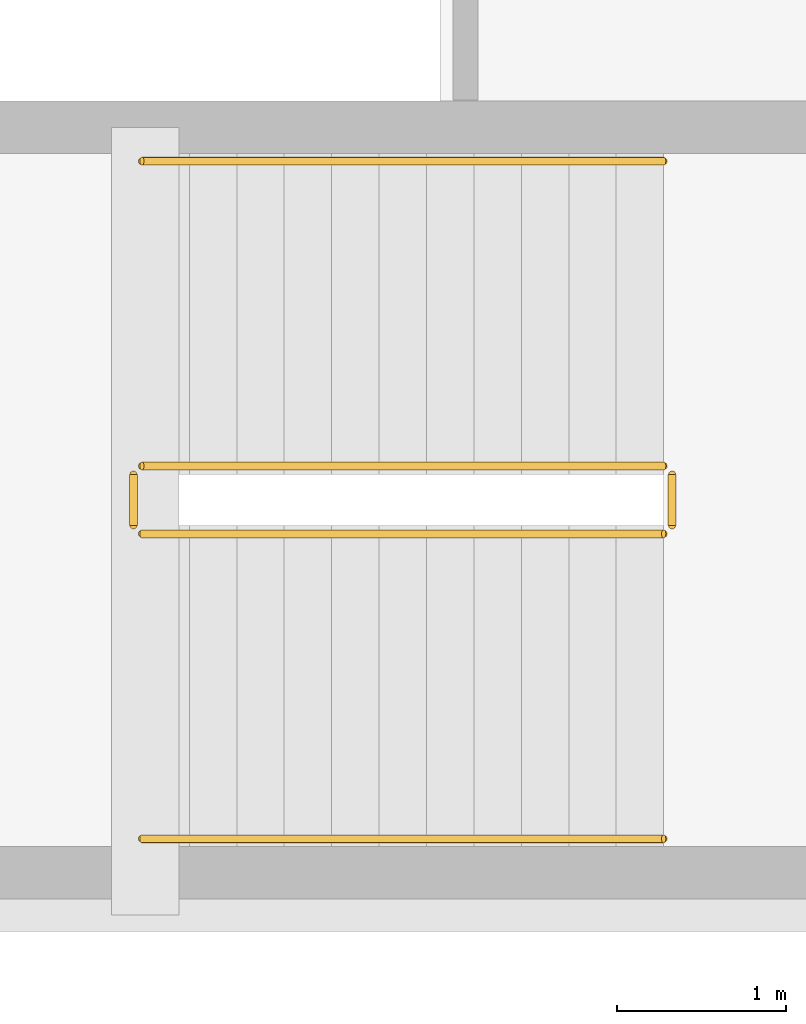
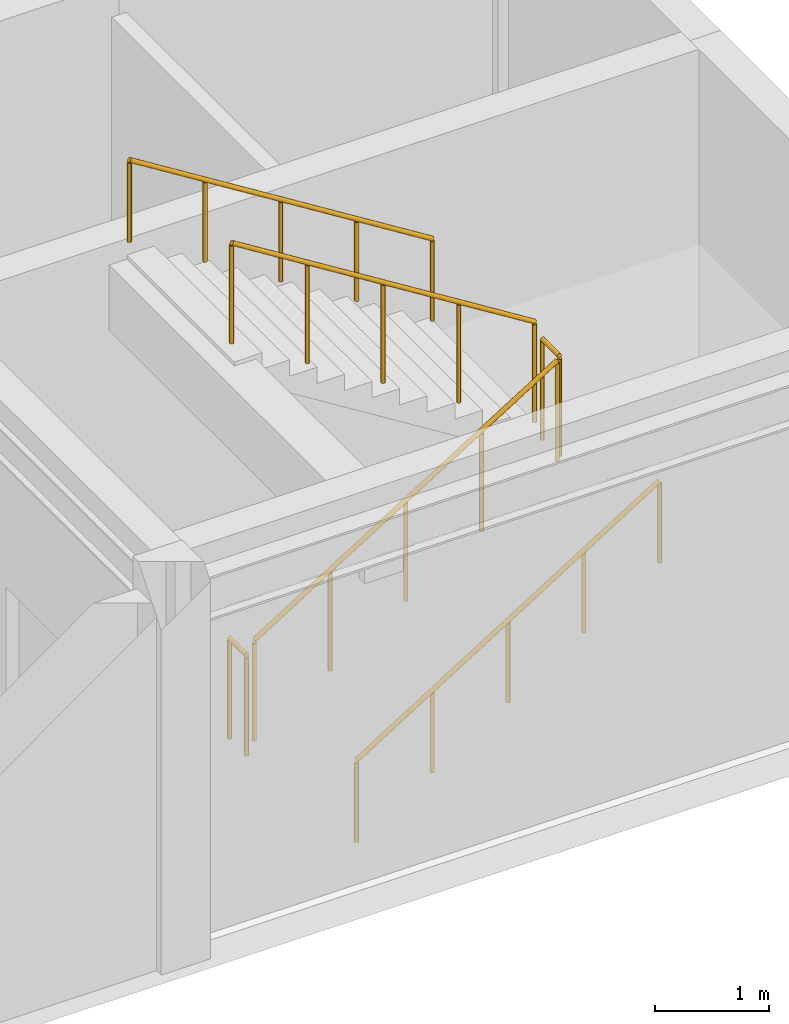
# One storey, part 49 of 54: 6 railings.
"""IFC4 building model written with IfcOpenShell, lengths in metres."""

from ifc_helpers import new_model, si_unit, direction, frame, origin, origin_2d, place, context, subcontext, project, spatial, circle, extrude, material, type_object, element, save


model = new_model("IFC4")

# Units and contexts
model_context = context("Model", 3, precision=1e-05, world=origin(), true_north=direction((0.0, 1.0)))
body_context = subcontext(model_context, "Body", "Model", "MODEL_VIEW")
ifc_project = project(units=[si_unit("LENGTHUNIT", "METRE"), si_unit("AREAUNIT", "SQUARE_METRE"), si_unit("VOLUMEUNIT", "CUBIC_METRE"), si_unit("PLANEANGLEUNIT", "RADIAN"), si_unit("MASSUNIT", "GRAM", prefix="KILO")], contexts=[model_context])

# Site, building, storey
site_placement = place(None, origin())
site = spatial("IfcSite", under=ifc_project, at=site_placement, CompositionType="ELEMENT")
building_placement = place(site_placement, origin())
building = spatial("IfcBuilding", under=site, at=building_placement, Name="Parian Resonance Hall", CompositionType="ELEMENT")
storey_placement = place(building_placement, frame((0.0, 0.0, 15.0)))
storey = spatial("IfcBuildingStorey", under=building, at=storey_placement, Name="L03", CompositionType="ELEMENT", Elevation=15.0)

# Railings
ifc_material_1 = material(Name="Patinated bronze whiplash metalwork")
railing_type_1 = type_object("IfcRailingType", Name="RAIL-STAIR-GRD-1100", PredefinedType="GUARDRAIL", material=ifc_material_1)
railing_1_placement = place(storey_placement, frame((66.93994140625, 18.449951171875, 0.175048828125)))
element("IfcRailing", 1, at=railing_1_placement, inside=storey, type_object=railing_type_1, Name="L03 ST-03 stair guard 1", PredefinedType="GUARDRAIL", context=body_context, shape_type="SweptSolid", body=[
    extrude(circle(Radius=0.02392578125, at=origin_2d()), frame((0.0, 0.0, 1.076171875), z_axis=(0.847998304005, 0.0, 0.529998940003), x_axis=(0.0, 1.0, 0.0)), (0.0, 0.0, 1.0), 3.632080078125),
    extrude(circle(Radius=0.02099609375, at=origin_2d()), origin(), (0.0, 0.0, 1.0), 1.052001953125),
    extrude(circle(Radius=0.02099609375, at=origin_2d()), frame((0.77001953125, 0.0, 0.481201171875)), (0.0, 0.0, 1.0), 1.052001953125),
    extrude(circle(Radius=0.02099609375, at=origin_2d()), frame((1.5400390625, 0.0, 0.96240234375)), (0.0, 0.0, 1.0), 1.052001953125),
    extrude(circle(Radius=0.02099609375, at=origin_2d()), frame((2.31005859375, 0.0, 1.44384765625)), (0.0, 0.0, 1.0), 1.052001953125),
    extrude(circle(Radius=0.02099609375, at=origin_2d()), frame((3.080078125, 0.0, 1.925048828125)), (0.0, 0.0, 1.0), 1.052001953125),
])
railing_2_placement = place(storey_placement, frame((70.070068359375, 18.5, 2.10009765625)))
element("IfcRailing", 2, at=railing_2_placement, inside=storey, type_object=railing_type_1, Name="L03 ST-03 stair guard 2", PredefinedType="GUARDRAIL", context=body_context, shape_type="SweptSolid", body=[
    extrude(circle(Radius=0.02392578125, at=origin_2d()), frame((0.0, 0.0, 1.076171875), z_axis=(0.0, 1.0, 0.0), x_axis=(-1.0, 0.0, 0.0)), (0.0, 0.0, 1.0), 0.300048828125),
    extrude(circle(Radius=0.02099609375, at=origin_2d()), origin(), (0.0, 0.0, 1.0), 1.052001953125),
    extrude(circle(Radius=0.02099609375, at=origin_2d()), frame((0.0, 0.300048828125, 0.0)), (0.0, 0.0, 1.0), 1.052001953125),
])
railing_3_placement = place(storey_placement, frame((70.02001953125, 18.85009765625, 2.27490234375)))
element("IfcRailing", 3, at=railing_3_placement, inside=storey, type_object=railing_type_1, Name="L03 ST-03 stair guard 3", PredefinedType="GUARDRAIL", context=body_context, shape_type="SweptSolid", body=[
    extrude(circle(Radius=0.02392578125, at=origin_2d()), frame((0.0, 0.0, 1.076171875), z_axis=(-0.847998304005, 0.0, 0.529998940003), x_axis=(0.0, -1.0, 0.0)), (0.0, 0.0, 1.0), 3.632080078125),
    extrude(circle(Radius=0.02099609375, at=origin_2d()), origin(), (0.0, 0.0, 1.0), 1.052001953125),
    extrude(circle(Radius=0.02099609375, at=origin_2d()), frame((-0.77001953125, 0.0, 0.481201171875)), (0.0, 0.0, 1.0), 1.052001953125),
    extrude(circle(Radius=0.02099609375, at=origin_2d()), frame((-1.5400390625, 0.0, 0.96240234375)), (0.0, 0.0, 1.0), 1.052001953125),
    extrude(circle(Radius=0.02099609375, at=origin_2d()), frame((-2.31005859375, 0.0, 1.44384765625)), (0.0, 0.0, 1.0), 1.052001953125),
    extrude(circle(Radius=0.02099609375, at=origin_2d()), frame((-3.080078125, 0.0, 1.925048828125)), (0.0, 0.0, 1.0), 1.052001953125),
])
railing_4_placement = place(storey_placement, frame((66.889892578125, 18.5, 0.0)))
element("IfcRailing", 4, at=railing_4_placement, inside=storey, type_object=railing_type_1, Name="L03 ST-03 stair guard 4", PredefinedType="GUARDRAIL", context=body_context, shape_type="SweptSolid", body=[
    extrude(circle(Radius=0.02392578125, at=origin_2d()), frame((0.0, 0.0, 1.076171875), z_axis=(0.0, 1.0, 0.0), x_axis=(-1.0, 0.0, 0.0)), (0.0, 0.0, 1.0), 0.300048828125),
    extrude(circle(Radius=0.02099609375, at=origin_2d()), origin(), (0.0, 0.0, 1.0), 1.052001953125),
    extrude(circle(Radius=0.02099609375, at=origin_2d()), frame((0.0, 0.300048828125, 0.0)), (0.0, 0.0, 1.0), 1.052001953125),
])
ifc_material_2 = material(Name="Patinated bronze whiplash metalwork")
railing_type_2 = type_object("IfcRailingType", Name="RAIL-STAIR-HR-900", PredefinedType="HANDRAIL", material=ifc_material_2)
railing_5_placement = place(storey_placement, frame((66.93994140625, 16.64990234375, 0.175048828125)))
element("IfcRailing", 5, at=railing_5_placement, inside=storey, type_object=railing_type_2, Name="L03 ST-03 stair handrail 1", PredefinedType="HANDRAIL", context=body_context, shape_type="SweptSolid", body=[
    extrude(circle(Radius=0.02392578125, at=origin_2d()), frame((0.0, 0.0, 0.8759765625), z_axis=(0.847998304005, 0.0, 0.529998940003), x_axis=(0.0, 1.0, 0.0)), (0.0, 0.0, 1.0), 3.632080078125),
    extrude(circle(Radius=0.02099609375, at=origin_2d()), origin(), (0.0, 0.0, 1.0), 0.851806640625),
    extrude(circle(Radius=0.02099609375, at=origin_2d()), frame((0.77001953125, 0.0, 0.481201171875)), (0.0, 0.0, 1.0), 0.851806640625),
    extrude(circle(Radius=0.02099609375, at=origin_2d()), frame((1.5400390625, 0.0, 0.96240234375)), (0.0, 0.0, 1.0), 0.851806640625),
    extrude(circle(Radius=0.02099609375, at=origin_2d()), frame((2.31005859375, 0.0, 1.44384765625)), (0.0, 0.0, 1.0), 0.851806640625),
    extrude(circle(Radius=0.02099609375, at=origin_2d()), frame((3.080078125, 0.0, 1.925048828125)), (0.0, 0.0, 1.0), 0.851806640625),
])
railing_6_placement = place(storey_placement, frame((70.02001953125, 20.64990234375, 2.27490234375)))
element("IfcRailing", 6, at=railing_6_placement, inside=storey, type_object=railing_type_2, Name="L03 ST-03 stair handrail 2", PredefinedType="HANDRAIL", context=body_context, shape_type="SweptSolid", body=[
    extrude(circle(Radius=0.02392578125, at=origin_2d()), frame((0.0, 0.0, 0.8759765625), z_axis=(-0.847998304005, 0.0, 0.529998940003), x_axis=(0.0, -1.0, 0.0)), (0.0, 0.0, 1.0), 3.632080078125),
    extrude(circle(Radius=0.02099609375, at=origin_2d()), origin(), (0.0, 0.0, 1.0), 0.851806640625),
    extrude(circle(Radius=0.02099609375, at=origin_2d()), frame((-0.77001953125, 0.0, 0.481201171875)), (0.0, 0.0, 1.0), 0.851806640625),
    extrude(circle(Radius=0.02099609375, at=origin_2d()), frame((-1.5400390625, 0.0, 0.96240234375)), (0.0, 0.0, 1.0), 0.851806640625),
    extrude(circle(Radius=0.02099609375, at=origin_2d()), frame((-2.31005859375, 0.0, 1.44384765625)), (0.0, 0.0, 1.0), 0.851806640625),
    extrude(circle(Radius=0.02099609375, at=origin_2d()), frame((-3.080078125, 0.0, 1.925048828125)), (0.0, 0.0, 1.0), 0.851806640625),
])

save(model, "model.ifc")
